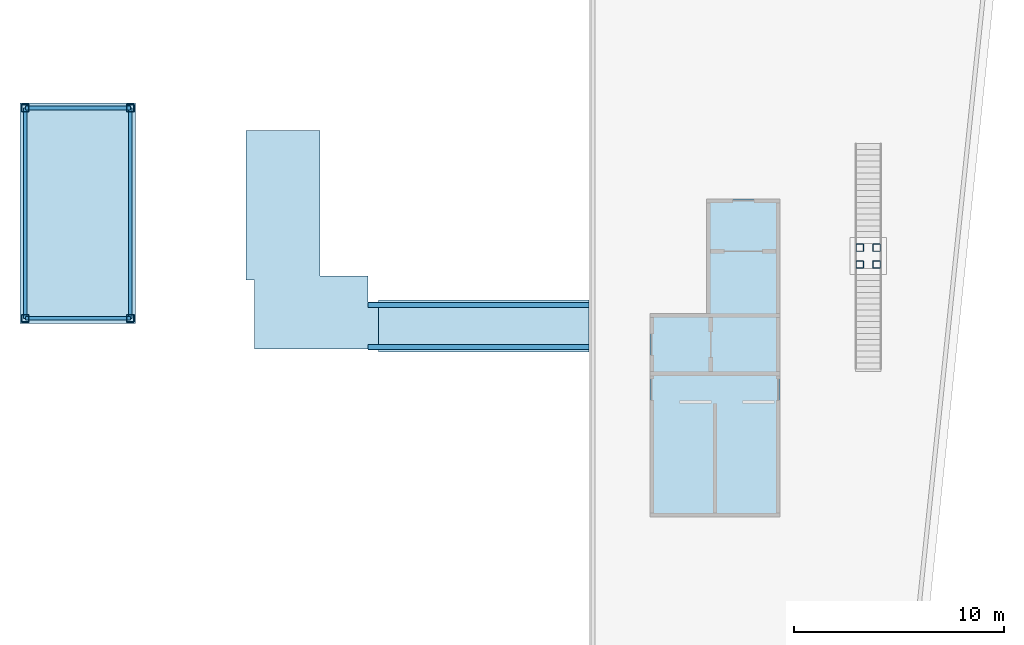
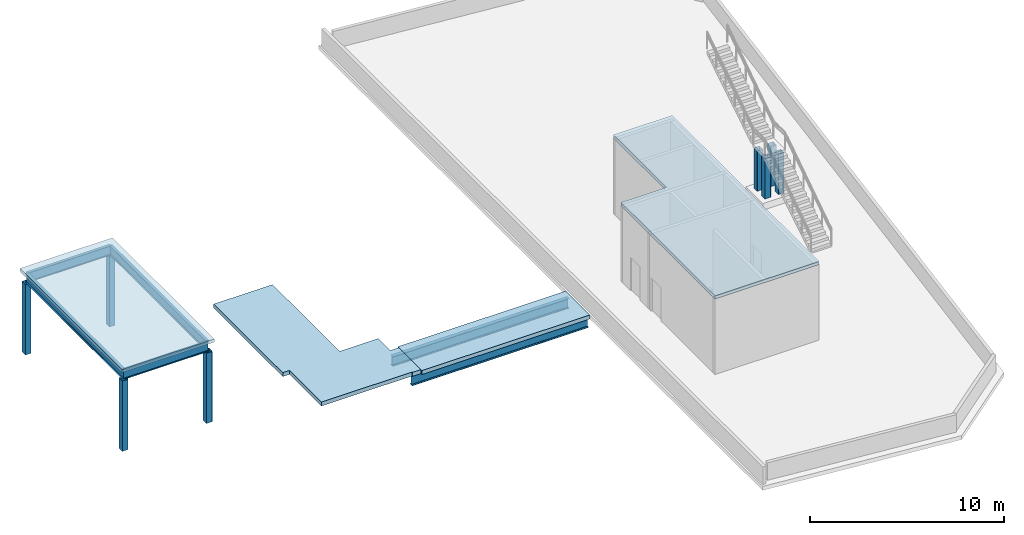
# One storey, part 1 of 3: 8 columns, 6 beams, 4 slabs.
"""IFC4 building model written with IfcOpenShell, lengths in metres."""

from ifc_helpers import new_model, si_unit, direction, frame, origin, origin_2d, place, context, subcontext, project, spatial, polyline, hollow_rectangle, i_section, outline, extrude, material, layer, layer_set, material_profile, profile_set, type_object, element, save


model = new_model("IFC4")

# Units and contexts
model_context = context("Model", 3, precision=1e-05, world=origin(), true_north=direction((0.0, 1.0)))
body_context = subcontext(model_context, "Body", "Model", "MODEL_VIEW")
ifc_project = project(units=[si_unit("LENGTHUNIT", "METRE"), si_unit("AREAUNIT", "SQUARE_METRE"), si_unit("VOLUMEUNIT", "CUBIC_METRE"), si_unit("PLANEANGLEUNIT", "RADIAN"), si_unit("MASSUNIT", "GRAM", prefix="KILO")], contexts=[model_context])

# Site, building, storey
site_placement = place(None, origin())
site = spatial("IfcSite", under=ifc_project, at=site_placement, CompositionType="ELEMENT")
building_placement = place(site_placement, origin())
building = spatial("IfcBuilding", under=site, at=building_placement, Name="Millrace Tower", CompositionType="ELEMENT")
storey_placement = place(building_placement, frame((0.0, 0.0, 362.10009765625)))
storey = spatial("IfcBuildingStorey", under=building, at=storey_placement, Name="ROOF-1", CompositionType="ELEMENT", Elevation=362.10009765625)

# Columns
ifc_material_1 = material(Name="Steel ASTM A500 Grade C", Category="steel")
ifc_material_profile_1 = material_profile(ifc_material_1, hollow_rectangle(XDim=0.355712890625, YDim=0.355712890625, WallThickness=0.015869140625, InnerFilletRadius=0.008056640625, OuterFilletRadius=0.02392578125, at=origin_2d()))
ifc_profile_set_1 = profile_set([ifc_material_profile_1], Name="Steel ASTM A500 Grade C")
column_type = type_object("IfcColumnType", Name="CROWN FRAME post HSS14x14x5/8", PredefinedType="COLUMN", material=ifc_profile_set_1)
for number, where, z_axis, x_axis, name in (
    (1, (-21.814208984375, 0.363037109375, 0.0), (0.0, 0.0, 1.0), (1.0, 0.0, 0.0), "CROWN FRAME lantern post 1 ROOF-1"),
    (2, (-16.814208984375, 0.363037109375, 0.0), (0.0, 0.0, 1.0), (1.0, 0.0, 0.0), "CROWN FRAME lantern post 2 ROOF-1"),
    (3, (-16.814208984375, 10.363037109375, 0.0), (0.0, 0.0, 1.0), (1.0, 0.0, 0.0), "CROWN FRAME lantern post 3 ROOF-1"),
    (4, (-21.814208984375, 10.363037109375, 0.0), (0.0, 0.0, 1.0), (1.0, 0.0, 0.0), "CROWN FRAME lantern post 4 ROOF-1"),
):
    element("IfcColumn", number, at=place(storey_placement, frame(where, z_axis=z_axis, x_axis=x_axis)), inside=storey, type_object=column_type, Name=name, PredefinedType="COLUMN", context=body_context, shape_type="SweptSolid", body=[
        extrude(hollow_rectangle(XDim=0.355712890625, YDim=0.355712890625, WallThickness=0.015869140625, InnerFilletRadius=0.008056640625, OuterFilletRadius=0.02392578125, at=origin_2d()), origin(), (0.0, 0.0, 1.0), 4.419921875),
    ])
for number, where, z_axis, x_axis, name in (
    (5, (17.89306640625, 2.922119140625, 0.419921875), (0.0, 0.0, 1.0), (1.0, 0.0, 0.0), "Antenna deck stair landing post 1"),
    (6, (18.693115234375, 2.922119140625, 0.419921875), (0.0, 0.0, 1.0), (1.0, 0.0, 0.0), "Antenna deck stair landing post 2"),
    (7, (17.89306640625, 3.72216796875, 0.419921875), (0.0, 0.0, 1.0), (1.0, 0.0, 0.0), "Antenna deck stair landing post 3"),
    (8, (18.693115234375, 3.72216796875, 0.419921875), (0.0, 0.0, 1.0), (1.0, 0.0, 0.0), "Antenna deck stair landing post 4"),
):
    element("IfcColumn", number, at=place(storey_placement, frame(where, z_axis=z_axis, x_axis=x_axis)), inside=storey, type_object=column_type, Name=name, PredefinedType="COLUMN", context=body_context, shape_type="SweptSolid", body=[
        extrude(hollow_rectangle(XDim=0.355712890625, YDim=0.355712890625, WallThickness=0.015869140625, InnerFilletRadius=0.008056640625, OuterFilletRadius=0.02392578125, at=origin_2d()), origin(), (0.0, 0.0, 1.0), 2.530029296875),
    ])

# Beams
ifc_material_2 = material(Name="Steel ASTM A992 Grade 50", Category="steel")
ifc_material_profile_2 = material_profile(ifc_material_2, i_section(OverallWidth=0.23046875, OverallDepth=0.6171875, WebThickness=0.01318359375, FlangeThickness=0.022216796875, FilletRadius=0.012939453125, at=origin_2d()))
ifc_profile_set_2 = profile_set([ifc_material_profile_2], Name="Steel ASTM A992 Grade 50")
beam_type_1 = type_object("IfcBeamType", Name="Bridge beam W24x94", PredefinedType="BEAM", material=ifc_profile_set_2)
for number, where, z_axis, x_axis, name in (
    (9, (-5.5, -1.0, -0.55859375), (1.0, 0.0, 0.0), (0.0, 1.0, 0.0), "BR-LK-RF-S"),
    (10, (-5.5, 1.0, -0.55859375), (1.0, 0.0, 0.0), (0.0, 1.0, 0.0), "BR-LK-RF-N"),
):
    element("IfcBeam", number, at=place(storey_placement, frame(where, z_axis=z_axis, x_axis=x_axis)), inside=storey, type_object=beam_type_1, Name=name, PredefinedType="BEAM", context=body_context, shape_type="SweptSolid", body=[
        extrude(i_section(OverallWidth=0.23046875, OverallDepth=0.6171875, WebThickness=0.01318359375, FlangeThickness=0.022216796875, FilletRadius=0.012939453125, at=origin_2d()), origin(), (0.0, 0.0, 1.0), 10.5),
    ])
ifc_material_3 = material(Name="Steel ASTM A992 Grade 50", Category="steel")
ifc_material_profile_3 = material_profile(ifc_material_3, i_section(OverallWidth=0.177978515625, OverallDepth=0.599365234375, WebThickness=0.010009765625, FlangeThickness=0.012939453125, FilletRadius=0.012939453125, at=origin_2d()))
ifc_profile_set_3 = profile_set([ifc_material_profile_3], Name="Steel ASTM A992 Grade 50")
beam_type_2 = type_object("IfcBeamType", Name="CROWN FRAME lantern beam W24x55", PredefinedType="BEAM", material=ifc_profile_set_3)
beam_1_placement = place(storey_placement, frame((-21.814208984375, 0.363037109375, 4.719482421875), z_axis=(1.0, 0.0, 0.0), x_axis=(0.0, 1.0, 0.0)))
element("IfcBeam", 11, at=beam_1_placement, inside=storey, type_object=beam_type_2, Name="CROWN FRAME lantern ring beam 1", PredefinedType="BEAM", context=body_context, shape_type="SweptSolid", body=[
    extrude(i_section(OverallWidth=0.177978515625, OverallDepth=0.599365234375, WebThickness=0.010009765625, FlangeThickness=0.012939453125, FilletRadius=0.012939453125, at=origin_2d()), origin(), (0.0, 0.0, 1.0), 5.0),
])
beam_2_placement = place(storey_placement, frame((-16.814208984375, 0.363037109375, 4.719482421875), z_axis=(0.0, 1.0, 0.0), x_axis=(-1.0, 0.0, 0.0)))
element("IfcBeam", 12, at=beam_2_placement, inside=storey, type_object=beam_type_2, Name="CROWN FRAME lantern ring beam 2", PredefinedType="BEAM", context=body_context, shape_type="SweptSolid", body=[
    extrude(i_section(OverallWidth=0.177978515625, OverallDepth=0.599365234375, WebThickness=0.010009765625, FlangeThickness=0.012939453125, FilletRadius=0.012939453125, at=origin_2d()), origin(), (0.0, 0.0, 1.0), 10.0),
])
beam_3_placement = place(storey_placement, frame((-16.814208984375, 10.363037109375, 4.719482421875), z_axis=(-1.0, 0.0, 0.0), x_axis=(0.0, -1.0, 0.0)))
element("IfcBeam", 13, at=beam_3_placement, inside=storey, type_object=beam_type_2, Name="CROWN FRAME lantern ring beam 3", PredefinedType="BEAM", context=body_context, shape_type="SweptSolid", body=[
    extrude(i_section(OverallWidth=0.177978515625, OverallDepth=0.599365234375, WebThickness=0.010009765625, FlangeThickness=0.012939453125, FilletRadius=0.012939453125, at=origin_2d()), origin(), (0.0, 0.0, 1.0), 5.0),
])
beam_4_placement = place(storey_placement, frame((-21.814208984375, 10.363037109375, 4.719482421875), z_axis=(0.0, -1.0, 0.0), x_axis=(1.0, 0.0, 0.0)))
element("IfcBeam", 14, at=beam_4_placement, inside=storey, type_object=beam_type_2, Name="CROWN FRAME lantern ring beam 4", PredefinedType="BEAM", context=body_context, shape_type="SweptSolid", body=[
    extrude(i_section(OverallWidth=0.177978515625, OverallDepth=0.599365234375, WebThickness=0.010009765625, FlangeThickness=0.012939453125, FilletRadius=0.012939453125, at=origin_2d()), origin(), (0.0, 0.0, 1.0), 10.0),
])

# Slabs
ifc_material_4 = material(Name="Concrete C40", Category="concrete")
ifc_layer_1 = layer(ifc_material_4, 0.199951171875)
ifc_layer_set_1 = layer_set([ifc_layer_1], Name="Concrete C40")
slab_type_1 = type_object("IfcSlabType", Name="CROWN FRAME lantern roof slab 200 mm", PredefinedType="ROOF", material=ifc_layer_set_1)
slab_1_placement = place(storey_placement, frame((0.0, 0.0, 5.019287109375)))
element("IfcSlab", 15, at=slab_1_placement, inside=storey, type_object=slab_type_1, Name="Crown lantern roof slab", PredefinedType="ROOF", context=body_context, shape_type="SweptSolid", body=[
    extrude(outline(polyline([(-22.064208984375, 0.113037109375), (-22.064208984375, 10.613037109375), (-16.564208984375, 10.613037109375), (-16.564208984375, 0.113037109375), (-22.064208984375, 0.113037109375)])), origin(), (0.0, 0.0, 1.0), 0.199951171875),
])
ifc_material_5 = material(Name="Concrete C35 on steel deck", Category="concrete")
ifc_layer_2 = layer(ifc_material_5, 0.25)
ifc_layer_set_2 = layer_set([ifc_layer_2], Name="Concrete C35 on steel deck")
slab_type_2 = type_object("IfcSlabType", Name="Composite roof slab 250 mm", PredefinedType="ROOF", material=ifc_layer_set_2)
placement = place(storey_placement, frame((0.0, 0.0, -0.25)))
element("IfcSlab", 16, at=placement, inside=storey, type_object=slab_type_2, Name="SL-LK-RF", PredefinedType="ROOF", context=body_context, shape_type="SweptSolid", body=[
    extrude(outline(polyline([(-5.0, -1.239990234375), (5.0, -1.239990234375), (5.0, 1.239990234375), (-5.0, 1.239990234375), (-5.0, -1.239990234375)])), origin(), (0.0, 0.0, 1.0), 0.25),
])
ifc_material_6 = material(Name="Concrete C40", Category="concrete")
ifc_layer_3 = layer(ifc_material_6, 0.199951171875)
ifc_layer_set_3 = layer_set([ifc_layer_3], Name="Concrete C40")
slab_type_3 = type_object("IfcSlabType", Name="Head house roof slab 200 Concrete C40", PredefinedType="ROOF", material=ifc_layer_set_3)
slab_3_placement = place(storey_placement, frame((0.0, 0.0, 4.75)))
element("IfcSlab", 17, at=slab_3_placement, inside=storey, type_object=slab_type_3, Name="Stair head house roof E ROOF-1", PredefinedType="ROOF", context=body_context, shape_type="SweptSolid", body=[
    extrude(outline(polyline([(10.60009765625, 0.60009765625), (7.89990234375, 0.60009765625), (7.89990234375, -9.10009765625), (14.10009765625, -9.10009765625), (14.10009765625, 6.050048828125), (10.60009765625, 6.050048828125), (10.60009765625, 0.60009765625)])), origin(), (0.0, 0.0, 1.0), 0.199951171875),
])
ifc_material_7 = material(Name="Concrete C40", Category="concrete")
ifc_layer_4 = layer(ifc_material_7, 0.25)
ifc_layer_set_4 = layer_set([ifc_layer_4], Name="Concrete C40")
slab_type_4 = type_object("IfcSlabType", Name="Head house roof slab 250 mm", PredefinedType="ROOF", material=ifc_layer_set_4)
element("IfcSlab", 18, at=placement, inside=storey, type_object=slab_type_4, Name="SL-HH-W-RF", PredefinedType="ROOF", context=body_context, shape_type="SweptSolid", body=[
    extrude(outline(polyline([(-5.5, 1.139892578125), (-5.5, 2.3798828125), (-7.800048828125, 2.3798828125), (-7.800048828125, 9.300048828125), (-11.300048828125, 9.300048828125), (-11.300048828125, 2.179931640625), (-10.89990234375, 2.179931640625), (-10.89990234375, -1.10009765625), (-5.5, -1.10009765625), (-5.5, -1.139892578125), (-5.0, -1.139892578125), (-5.0, 1.139892578125), (-5.5, 1.139892578125)])), origin(), (0.0, 0.0, 1.0), 0.25),
])

save(model, "model.ifc")
